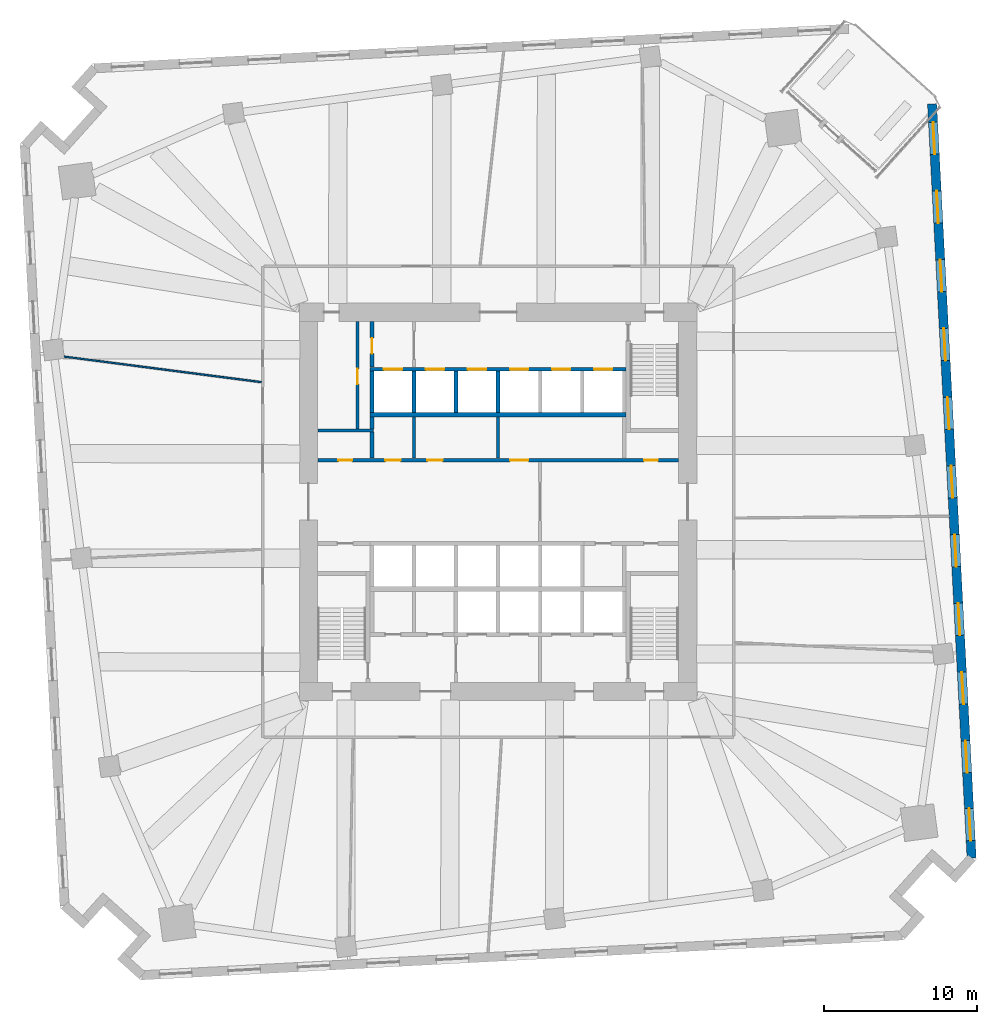
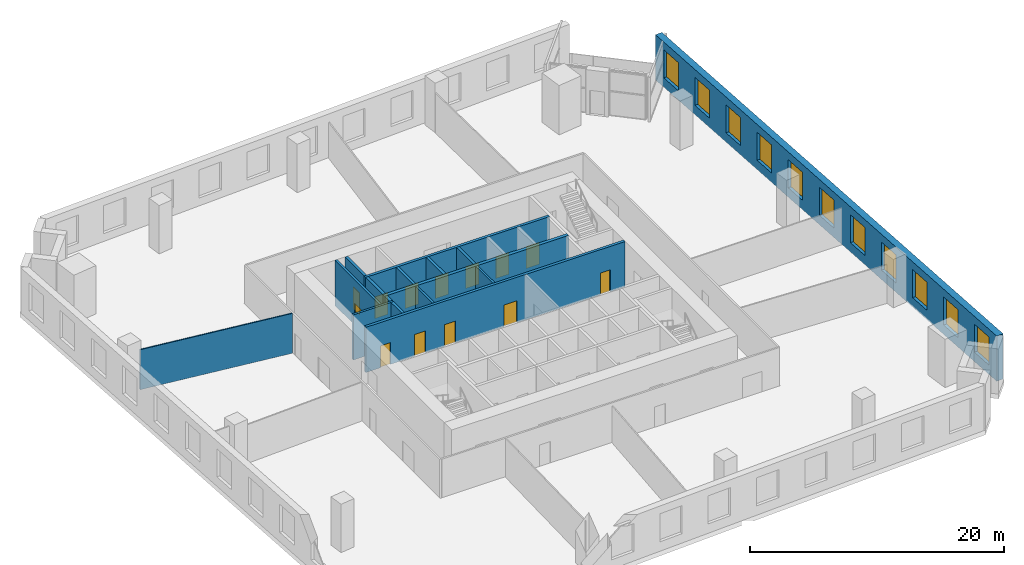
# One storey, part 6 of 10: 16 walls, 13 doors, 11 windows, 24 openings.
"""IFC4 building model written with IfcOpenShell, lengths in metres."""

from ifc_helpers import new_model, si_unit, direction, frame, frame_2d, origin, place, context, subcontext, project, spatial, rectangle, extrude, material, layer, layer_set, type_object, element, fill, save


model = new_model("IFC4")

# Units and contexts
model_context = context("Model", 3, precision=1e-05, world=origin(), true_north=direction((0.0, 1.0)))
body_context = subcontext(model_context, "Body", "Model", "MODEL_VIEW")
ifc_project = project(units=[si_unit("LENGTHUNIT", "METRE"), si_unit("AREAUNIT", "SQUARE_METRE"), si_unit("VOLUMEUNIT", "CUBIC_METRE"), si_unit("PLANEANGLEUNIT", "RADIAN"), si_unit("MASSUNIT", "GRAM", prefix="KILO")], contexts=[model_context])

# Site, building, storey
site_placement = place(None, origin())
site = spatial("IfcSite", under=ifc_project, at=site_placement, CompositionType="ELEMENT")
building_placement = place(site_placement, origin())
building = spatial("IfcBuilding", under=site, at=building_placement, Name="Dilmun Exchange Tower", CompositionType="ELEMENT")
storey_placement = place(building_placement, frame((0.0, 0.0, 32.10009765625)))
storey = spatial("IfcBuildingStorey", under=building, at=storey_placement, Name="L07", CompositionType="ELEMENT", Elevation=32.10009765625)

# Walls
ifc_material_1 = material(Name="Concrete C40/50", Category="concrete")
ifc_layer_1 = layer(ifc_material_1, 0.199951171875)
ifc_layer_set_1 = layer_set([ifc_layer_1], Name="Concrete C40/50")
wall_type_1 = type_object("IfcWallType", Name="Core partition wall 200", PredefinedType="PARTITIONING", material=ifc_layer_set_1)
for number, where, z_axis, x_axis, name in (
    (1, (-5.5, 2.85498046875, 0.0), (0.0, 0.0, 1.0), (0.0, 1.0, 0.0), "L07 core partition wall 12"),
    (2, (0.0, 2.85498046875, 0.0), (0.0, 0.0, 1.0), (0.0, 1.0, 0.0), "L07 core partition wall 13"),
):
    element("IfcWall", number, at=place(storey_placement, frame(where, z_axis=z_axis, x_axis=x_axis)), inside=storey, type_object=wall_type_1, Name=name, PredefinedType="PARTITIONING", context=body_context, shape_type="SweptSolid", body=[
        extrude(rectangle(XDim=2.68994140625, YDim=0.199951171875, at=frame_2d((1.344970703125, 0.0))), origin(), (0.0, 0.0, 1.0), 4.349853515625),
    ])
wall_1_placement = place(storey_placement, frame((-11.794921875, 4.675048828125, 0.0), z_axis=(0.0, 0.0, 1.0), x_axis=(1.0, 0.0, 0.0)))
element("IfcWall", 3, at=wall_1_placement, inside=storey, type_object=wall_type_1, Name="L07 core partition wall 15", PredefinedType="PARTITIONING", context=body_context, shape_type="SweptSolid", body=[
    extrude(rectangle(XDim=3.64501953125, YDim=0.199951171875, at=frame_2d((1.822509765625, 0.0))), origin(), (0.0, 0.0, 1.0), 4.349853515625),
])

# Wall, opening, door
wall_2_placement = place(storey_placement, frame((-9.199951171875, 4.780029296875, 0.0), z_axis=(0.0, 0.0, 1.0), x_axis=(0.0, 1.0, 0.0)))
wall_2 = element("IfcWall", 4, at=wall_2_placement, inside=storey, type_object=wall_type_1, Name="L07 core partition wall 16", PredefinedType="PARTITIONING", context=body_context, shape_type="SweptSolid", body=[
    extrude(rectangle(XDim=7.014892578125, YDim=0.199951171875, at=frame_2d((3.50732421875, 0.0))), origin(), (0.0, 0.0, 1.0), 4.349853515625),
])
opening_1_placement = place(wall_2_placement, frame((2.919921875, 0.0, 0.0)))
opening_1 = element("IfcOpeningElement", 5, at=opening_1_placement, cuts=wall_2, Name="Opening CD4", PredefinedType="OPENING", context=body_context, shape_type="SweptSolid", body=[
    extrude(rectangle(XDim=1.0, YDim=2.10009765625, at=frame_2d((0.5, 1.050048828125))), frame((0.0, 0.10986328125, 0.0), z_axis=(0.0, -1.0, 0.0), x_axis=(1.0, 0.0, 0.0)), (0.0, 0.0, 1.0), 0.219970703125),
])
ifc_material_2 = material(Name="Fire-rated steel door set", Category="steel")
door_type_1 = type_object("IfcDoorType", Name="Core room door 1000x2100", OperationType="SINGLE_SWING_LEFT", PredefinedType="DOOR", material=ifc_material_2)
door_1_placement = place(opening_1_placement, origin())
door_1 = element("IfcDoor", 6, at=door_1_placement, inside=storey, type_object=door_type_1, Name="L07 door Fire safety store", OperationType="SINGLE_SWING_RIGHT", OverallHeight=2.10009765625, OverallWidth=1.0, PredefinedType="DOOR", context=body_context, shape_type="SweptSolid", body=[
    extrude(rectangle(XDim=1.0, YDim=2.10009765625, at=frame_2d((0.5, 1.050048828125))), frame((0.0, 0.02490234375, 0.0), z_axis=(0.0, -1.0, 0.0), x_axis=(1.0, 0.0, 0.0)), (0.0, 0.0, 1.0), 0.050048828125),
])
fill(opening_1, door_1)

# Wall, openings, doors
ifc_layer_2 = layer(ifc_material_1, 0.25)
ifc_layer_set_2 = layer_set([ifc_layer_2], Name="Concrete C40/50")
wall_type_2 = type_object("IfcWallType", Name="Core partition wall 250", PredefinedType="PARTITIONING", material=ifc_layer_set_2)
wall_3_placement = place(storey_placement, frame((-11.794921875, 2.72509765625, 0.0), z_axis=(0.0, 0.0, 1.0), x_axis=(1.0, 0.0, 0.0)))
wall_3 = element("IfcWall", 7, at=wall_3_placement, inside=storey, type_object=wall_type_2, Name="L07 core partition wall 10", PredefinedType="PARTITIONING", context=body_context, shape_type="SweptSolid", body=[
    extrude(rectangle(XDim=23.58984375, YDim=0.25, at=frame_2d((11.794921875, 0.0))), origin(), (0.0, 0.0, 1.0), 4.349853515625),
])
opening_2_placement = place(wall_3_placement, frame((21.344970703125, 0.0, 0.0)))
opening_2 = element("IfcOpeningElement", 8, at=opening_2_placement, cuts=wall_3, Name="Opening CD6", PredefinedType="OPENING", context=body_context, shape_type="SweptSolid", body=[
    extrude(rectangle(XDim=0.89990234375, YDim=2.10009765625, at=frame_2d((0.449951171875, 1.050048828125))), frame((0.0, 0.135009765625, 0.0), z_axis=(0.0, -1.0, 0.0), x_axis=(1.0, 0.0, 0.0)), (0.0, 0.0, 1.0), 0.27001953125),
])
opening_3_placement = place(wall_3_placement, frame((1.344970703125, 0.0, 0.0)))
opening_3 = element("IfcOpeningElement", 9, at=opening_3_placement, cuts=wall_3, Name="Opening CD6", PredefinedType="OPENING", context=body_context, shape_type="SweptSolid", body=[
    extrude(rectangle(XDim=0.89990234375, YDim=2.10009765625, at=frame_2d((0.449951171875, 1.050048828125))), frame((0.0, 0.135009765625, 0.0), z_axis=(0.0, -1.0, 0.0), x_axis=(1.0, 0.0, 0.0)), (0.0, 0.0, 1.0), 0.27001953125),
])
opening_4_placement = place(wall_3_placement, frame((4.419921875, 0.0, 0.0)))
opening_4 = element("IfcOpeningElement", 10, at=opening_4_placement, cuts=wall_3, Name="Opening CD4", PredefinedType="OPENING", context=body_context, shape_type="SweptSolid", body=[
    extrude(rectangle(XDim=1.0, YDim=2.10009765625, at=frame_2d((0.5, 1.050048828125))), frame((0.0, 0.135009765625, 0.0), z_axis=(0.0, -1.0, 0.0), x_axis=(1.0, 0.0, 0.0)), (0.0, 0.0, 1.0), 0.27001953125),
])
opening_5_placement = place(wall_3_placement, frame((7.169921875, 0.0, 0.0)))
opening_5 = element("IfcOpeningElement", 11, at=opening_5_placement, cuts=wall_3, Name="Opening CD4", PredefinedType="OPENING", context=body_context, shape_type="SweptSolid", body=[
    extrude(rectangle(XDim=1.0, YDim=2.10009765625, at=frame_2d((0.5, 1.050048828125))), frame((0.0, 0.135009765625, 0.0), z_axis=(0.0, -1.0, 0.0), x_axis=(1.0, 0.0, 0.0)), (0.0, 0.0, 1.0), 0.27001953125),
])
opening_6_placement = place(wall_3_placement, frame((12.570068359375, 0.0, 0.0)))
opening_6 = element("IfcOpeningElement", 12, at=opening_6_placement, cuts=wall_3, Name="Opening CD3", PredefinedType="OPENING", context=body_context, shape_type="SweptSolid", body=[
    extrude(rectangle(XDim=1.199951171875, YDim=2.10009765625, at=frame_2d((0.60009765625, 1.050048828125))), frame((0.0, 0.135009765625, 0.0), z_axis=(0.0, -1.0, 0.0), x_axis=(1.0, 0.0, 0.0)), (0.0, 0.0, 1.0), 0.27001953125),
])
door_2_placement = place(opening_4_placement, origin())
door_2 = element("IfcDoor", 13, at=door_2_placement, inside=storey, type_object=door_type_1, Name="L07 door Tenant store", OperationType="SINGLE_SWING_RIGHT", OverallHeight=2.10009765625, OverallWidth=1.0, PredefinedType="DOOR", context=body_context, shape_type="SweptSolid", body=[
    extrude(rectangle(XDim=1.0, YDim=2.10009765625, at=frame_2d((0.5, 1.050048828125))), frame((0.0, 0.02490234375, 0.0), z_axis=(0.0, -1.0, 0.0), x_axis=(1.0, 0.0, 0.0)), (0.0, 0.0, 1.0), 0.050048828125),
])
fill(opening_4, door_2)
door_3_placement = place(opening_5_placement, origin())
door_3 = element("IfcDoor", 14, at=door_3_placement, inside=storey, type_object=door_type_1, Name="L07 door Mechanical room", OperationType="SINGLE_SWING_RIGHT", OverallHeight=2.10009765625, OverallWidth=1.0, PredefinedType="DOOR", context=body_context, shape_type="SweptSolid", body=[
    extrude(rectangle(XDim=1.0, YDim=2.10009765625, at=frame_2d((0.5, 1.050048828125))), frame((0.0, 0.02490234375, 0.0), z_axis=(0.0, -1.0, 0.0), x_axis=(1.0, 0.0, 0.0)), (0.0, 0.0, 1.0), 0.050048828125),
])
fill(opening_5, door_3)
door_type_2 = type_object("IfcDoorType", Name="Core room door 900x2100", OperationType="SINGLE_SWING_LEFT", PredefinedType="DOOR", material=ifc_material_2)
door_4_placement = place(opening_2_placement, origin())
door_4 = element("IfcDoor", 15, at=door_4_placement, inside=storey, type_object=door_type_2, Name="L07 door Electrical riser", OperationType="SINGLE_SWING_RIGHT", OverallHeight=2.10009765625, OverallWidth=0.89990234375, PredefinedType="DOOR", context=body_context, shape_type="SweptSolid", body=[
    extrude(rectangle(XDim=0.89990234375, YDim=2.10009765625, at=frame_2d((0.449951171875, 1.050048828125))), frame((0.0, 0.02490234375, 0.0), z_axis=(0.0, -1.0, 0.0), x_axis=(1.0, 0.0, 0.0)), (0.0, 0.0, 1.0), 0.050048828125),
])
fill(opening_2, door_4)
door_5_placement = place(opening_3_placement, origin())
door_5 = element("IfcDoor", 16, at=door_5_placement, inside=storey, type_object=door_type_2, Name="L07 door Plumbing riser", OperationType="SINGLE_SWING_RIGHT", OverallHeight=2.10009765625, OverallWidth=0.89990234375, PredefinedType="DOOR", context=body_context, shape_type="SweptSolid", body=[
    extrude(rectangle(XDim=0.89990234375, YDim=2.10009765625, at=frame_2d((0.449951171875, 1.050048828125))), frame((0.0, 0.02490234375, 0.0), z_axis=(0.0, -1.0, 0.0), x_axis=(1.0, 0.0, 0.0)), (0.0, 0.0, 1.0), 0.050048828125),
])
fill(opening_3, door_5)
door_type_3 = type_object("IfcDoorType", Name="Stair exit door 1200x2100", OperationType="SINGLE_SWING_LEFT", PredefinedType="DOOR", material=ifc_material_2)
door_6_placement = place(opening_6_placement, origin())
door_6 = element("IfcDoor", 17, at=door_6_placement, inside=storey, type_object=door_type_3, Name="L07 door Tenant meeting suite", OperationType="SINGLE_SWING_LEFT", OverallHeight=2.10009765625, OverallWidth=1.199951171875, PredefinedType="DOOR", context=body_context, shape_type="SweptSolid", body=[
    extrude(rectangle(XDim=1.199951171875, YDim=2.10009765625, at=frame_2d((0.60009765625, 1.050048828125))), frame((0.0, 0.02490234375, 0.0), z_axis=(0.0, -1.0, 0.0), x_axis=(1.0, 0.0, 0.0)), (0.0, 0.0, 1.0), 0.050048828125),
])
fill(opening_6, door_6)

# Walls
wall_4_placement = place(storey_placement, frame((-8.25, 2.85498046875, 0.0), z_axis=(0.0, 0.0, 1.0), x_axis=(0.0, 1.0, 0.0)))
element("IfcWall", 18, at=wall_4_placement, inside=storey, type_object=wall_type_2, Name="L07 core partition wall 11", PredefinedType="PARTITIONING", context=body_context, shape_type="SweptSolid", body=[
    extrude(rectangle(XDim=1.715087890625, YDim=0.25, at=frame_2d((0.857421875, 0.0))), origin(), (0.0, 0.0, 1.0), 4.349853515625),
])
wall_5_placement = place(storey_placement, frame((-8.25, 4.780029296875, 0.0), z_axis=(0.0, 0.0, 1.0), x_axis=(0.0, 1.0, 0.0)))
element("IfcWall", 19, at=wall_5_placement, inside=storey, type_object=wall_type_2, Name="L07 core partition wall 17", PredefinedType="PARTITIONING", context=body_context, shape_type="SweptSolid", body=[
    extrude(rectangle(XDim=0.764892578125, YDim=0.25, at=frame_2d((0.38232421875, 0.0))), origin(), (0.0, 0.0, 1.0), 4.349853515625),
])

# Wall, opening, door
wall_6_placement = place(storey_placement, frame((-8.25, 8.804931640625, 0.0), z_axis=(0.0, 0.0, 1.0), x_axis=(0.0, 1.0, 0.0)))
wall_6 = element("IfcWall", 20, at=wall_6_placement, inside=storey, type_object=wall_type_2, Name="L07 core partition wall 18", PredefinedType="PARTITIONING", context=body_context, shape_type="SweptSolid", body=[
    extrude(rectangle(XDim=2.989990234375, YDim=0.25, at=frame_2d((1.4951171875, 0.0))), origin(), (0.0, 0.0, 1.0), 4.349853515625),
])
opening_7_placement = place(wall_6_placement, frame((0.89501953125, 0.0, 0.0)))
opening_7 = element("IfcOpeningElement", 21, at=opening_7_placement, cuts=wall_6, Name="Opening CD4", PredefinedType="OPENING", context=body_context, shape_type="SweptSolid", body=[
    extrude(rectangle(XDim=1.0, YDim=2.10009765625, at=frame_2d((0.5, 1.050048828125))), frame((0.0, 0.135009765625, 0.0), z_axis=(0.0, -1.0, 0.0), x_axis=(1.0, 0.0, 0.0)), (0.0, 0.0, 1.0), 0.27001953125),
])
door_7_placement = place(opening_7_placement, origin())
door_7 = element("IfcDoor", 22, at=door_7_placement, inside=storey, type_object=door_type_1, Name="L07 door Tenant services room", OperationType="SINGLE_SWING_RIGHT", OverallHeight=2.10009765625, OverallWidth=1.0, PredefinedType="DOOR", context=body_context, shape_type="SweptSolid", body=[
    extrude(rectangle(XDim=1.0, YDim=2.10009765625, at=frame_2d((0.5, 1.050048828125))), frame((0.0, 0.02490234375, 0.0), z_axis=(0.0, -1.0, 0.0), x_axis=(1.0, 0.0, 0.0)), (0.0, 0.0, 1.0), 0.050048828125),
])
fill(opening_7, door_7)

# Wall
ifc_layer_3 = layer(ifc_material_1, 0.300048828125)
ifc_layer_set_3 = layer_set([ifc_layer_3], Name="Concrete C40/50")
wall_type_3 = type_object("IfcWallType", Name="Lift shaft shared wall 300", PredefinedType="SOLIDWALL", material=ifc_layer_set_3)
wall_7_placement = place(storey_placement, frame((-8.375, 5.699951171875, 0.0), z_axis=(0.0, 0.0, 1.0), x_axis=(1.0, 0.0, 0.0)))
element("IfcWall", 23, at=wall_7_placement, inside=storey, type_object=wall_type_3, Name="L07 lift shaft rear wall N", PredefinedType="SOLIDWALL", context=body_context, shape_type="SweptSolid", body=[
    extrude(rectangle(XDim=16.75, YDim=0.300048828125, at=frame_2d((8.375, 0.0))), origin(), (0.0, 0.0, 1.0), 4.349853515625),
])

# Wall, openings, doors
ifc_layer_4 = layer(ifc_material_1, 0.25)
ifc_layer_set_4 = layer_set([ifc_layer_4], Name="Concrete C40/50")
wall_type_4 = type_object("IfcWallType", Name="Lift shaft wall 250", PredefinedType="SOLIDWALL", material=ifc_layer_set_4)
wall_8_placement = place(storey_placement, frame((-8.375, 8.675048828125, 0.0), z_axis=(0.0, 0.0, 1.0), x_axis=(1.0, 0.0, 0.0)))
wall_8 = element("IfcWall", 24, at=wall_8_placement, inside=storey, type_object=wall_type_4, Name="L07 lift shaft front wall N2", PredefinedType="SOLIDWALL", context=body_context, shape_type="SweptSolid", body=[
    extrude(rectangle(XDim=16.75, YDim=0.25, at=frame_2d((8.375, 0.0))), origin(), (0.0, 0.0, 1.0), 4.349853515625),
])
opening_8_placement = place(wall_8_placement, frame((0.89990234375, 0.0, 0.0)))
opening_8 = element("IfcOpeningElement", 25, at=opening_8_placement, cuts=wall_8, Name="Opening LD", PredefinedType="OPENING", context=body_context, shape_type="SweptSolid", body=[
    extrude(rectangle(XDim=1.199951171875, YDim=2.10009765625, at=frame_2d((0.60009765625, 1.050048828125))), frame((0.0, 0.135009765625, 0.0), z_axis=(0.0, -1.0, 0.0), x_axis=(1.0, 0.0, 0.0)), (0.0, 0.0, 1.0), 0.27001953125),
])
opening_9_placement = place(wall_8_placement, frame((3.64990234375, 0.0, 0.0)))
opening_9 = element("IfcOpeningElement", 26, at=opening_9_placement, cuts=wall_8, Name="Opening LD", PredefinedType="OPENING", context=body_context, shape_type="SweptSolid", body=[
    extrude(rectangle(XDim=1.199951171875, YDim=2.10009765625, at=frame_2d((0.60009765625, 1.050048828125))), frame((0.0, 0.135009765625, 0.0), z_axis=(0.0, -1.0, 0.0), x_axis=(1.0, 0.0, 0.0)), (0.0, 0.0, 1.0), 0.27001953125),
])
opening_10_placement = place(wall_8_placement, frame((6.39990234375, 0.0, 0.0)))
opening_10 = element("IfcOpeningElement", 27, at=opening_10_placement, cuts=wall_8, Name="Opening LD", PredefinedType="OPENING", context=body_context, shape_type="SweptSolid", body=[
    extrude(rectangle(XDim=1.199951171875, YDim=2.10009765625, at=frame_2d((0.60009765625, 1.050048828125))), frame((0.0, 0.135009765625, 0.0), z_axis=(0.0, -1.0, 0.0), x_axis=(1.0, 0.0, 0.0)), (0.0, 0.0, 1.0), 0.27001953125),
])
opening_11_placement = place(wall_8_placement, frame((9.14990234375, 0.0, 0.0)))
opening_11 = element("IfcOpeningElement", 28, at=opening_11_placement, cuts=wall_8, Name="Opening LD", PredefinedType="OPENING", context=body_context, shape_type="SweptSolid", body=[
    extrude(rectangle(XDim=1.199951171875, YDim=2.10009765625, at=frame_2d((0.60009765625, 1.050048828125))), frame((0.0, 0.135009765625, 0.0), z_axis=(0.0, -1.0, 0.0), x_axis=(1.0, 0.0, 0.0)), (0.0, 0.0, 1.0), 0.27001953125),
])
opening_12_placement = place(wall_8_placement, frame((11.89990234375, 0.0, 0.0)))
opening_12 = element("IfcOpeningElement", 29, at=opening_12_placement, cuts=wall_8, Name="Opening LD", PredefinedType="OPENING", context=body_context, shape_type="SweptSolid", body=[
    extrude(rectangle(XDim=1.199951171875, YDim=2.10009765625, at=frame_2d((0.60009765625, 1.050048828125))), frame((0.0, 0.135009765625, 0.0), z_axis=(0.0, -1.0, 0.0), x_axis=(1.0, 0.0, 0.0)), (0.0, 0.0, 1.0), 0.27001953125),
])
opening_13_placement = place(wall_8_placement, frame((14.64990234375, 0.0, 0.0)))
opening_13 = element("IfcOpeningElement", 30, at=opening_13_placement, cuts=wall_8, Name="Opening LD", PredefinedType="OPENING", context=body_context, shape_type="SweptSolid", body=[
    extrude(rectangle(XDim=1.199951171875, YDim=2.10009765625, at=frame_2d((0.60009765625, 1.050048828125))), frame((0.0, 0.135009765625, 0.0), z_axis=(0.0, -1.0, 0.0), x_axis=(1.0, 0.0, 0.0)), (0.0, 0.0, 1.0), 0.27001953125),
])
door_type_4 = type_object("IfcDoorType", Name="Lift landing door 1200x2100", OperationType="DOUBLE_DOOR_SLIDING", PredefinedType="DOOR", material=ifc_material_2)
door_8_placement = place(opening_8_placement, origin())
door_8 = element("IfcDoor", 31, at=door_8_placement, inside=storey, type_object=door_type_4, Name="L07 landing door LR1", OperationType="DOUBLE_DOOR_SLIDING", OverallHeight=2.10009765625, OverallWidth=1.199951171875, PredefinedType="DOOR", context=body_context, shape_type="SweptSolid", body=[
    extrude(rectangle(XDim=1.199951171875, YDim=2.10009765625, at=frame_2d((0.60009765625, 1.050048828125))), frame((0.0, 0.02490234375, 0.0), z_axis=(0.0, -1.0, 0.0), x_axis=(1.0, 0.0, 0.0)), (0.0, 0.0, 1.0), 0.050048828125),
])
fill(opening_8, door_8)
door_9_placement = place(opening_9_placement, origin())
door_9 = element("IfcDoor", 32, at=door_9_placement, inside=storey, type_object=door_type_4, Name="L07 landing door LR2", OperationType="DOUBLE_DOOR_SLIDING", OverallHeight=2.10009765625, OverallWidth=1.199951171875, PredefinedType="DOOR", context=body_context, shape_type="SweptSolid", body=[
    extrude(rectangle(XDim=1.199951171875, YDim=2.10009765625, at=frame_2d((0.60009765625, 1.050048828125))), frame((0.0, 0.02490234375, 0.0), z_axis=(0.0, -1.0, 0.0), x_axis=(1.0, 0.0, 0.0)), (0.0, 0.0, 1.0), 0.050048828125),
])
fill(opening_9, door_9)
door_10_placement = place(opening_10_placement, origin())
door_10 = element("IfcDoor", 33, at=door_10_placement, inside=storey, type_object=door_type_4, Name="L07 landing door LR3", OperationType="DOUBLE_DOOR_SLIDING", OverallHeight=2.10009765625, OverallWidth=1.199951171875, PredefinedType="DOOR", context=body_context, shape_type="SweptSolid", body=[
    extrude(rectangle(XDim=1.199951171875, YDim=2.10009765625, at=frame_2d((0.60009765625, 1.050048828125))), frame((0.0, 0.02490234375, 0.0), z_axis=(0.0, -1.0, 0.0), x_axis=(1.0, 0.0, 0.0)), (0.0, 0.0, 1.0), 0.050048828125),
])
fill(opening_10, door_10)
door_11_placement = place(opening_11_placement, origin())
door_11 = element("IfcDoor", 34, at=door_11_placement, inside=storey, type_object=door_type_4, Name="L07 landing door LR4", OperationType="DOUBLE_DOOR_SLIDING", OverallHeight=2.10009765625, OverallWidth=1.199951171875, PredefinedType="DOOR", context=body_context, shape_type="SweptSolid", body=[
    extrude(rectangle(XDim=1.199951171875, YDim=2.10009765625, at=frame_2d((0.60009765625, 1.050048828125))), frame((0.0, 0.02490234375, 0.0), z_axis=(0.0, -1.0, 0.0), x_axis=(1.0, 0.0, 0.0)), (0.0, 0.0, 1.0), 0.050048828125),
])
fill(opening_11, door_11)
door_12_placement = place(opening_12_placement, origin())
door_12 = element("IfcDoor", 35, at=door_12_placement, inside=storey, type_object=door_type_4, Name="L07 landing door LR5", OperationType="DOUBLE_DOOR_SLIDING", OverallHeight=2.10009765625, OverallWidth=1.199951171875, PredefinedType="DOOR", context=body_context, shape_type="SweptSolid", body=[
    extrude(rectangle(XDim=1.199951171875, YDim=2.10009765625, at=frame_2d((0.60009765625, 1.050048828125))), frame((0.0, 0.02490234375, 0.0), z_axis=(0.0, -1.0, 0.0), x_axis=(1.0, 0.0, 0.0)), (0.0, 0.0, 1.0), 0.050048828125),
])
fill(opening_12, door_12)
door_13_placement = place(opening_13_placement, origin())
door_13 = element("IfcDoor", 36, at=door_13_placement, inside=storey, type_object=door_type_4, Name="L07 landing door LR6", OperationType="DOUBLE_DOOR_SLIDING", OverallHeight=2.10009765625, OverallWidth=1.199951171875, PredefinedType="DOOR", context=body_context, shape_type="SweptSolid", body=[
    extrude(rectangle(XDim=1.199951171875, YDim=2.10009765625, at=frame_2d((0.60009765625, 1.050048828125))), frame((0.0, 0.02490234375, 0.0), z_axis=(0.0, -1.0, 0.0), x_axis=(1.0, 0.0, 0.0)), (0.0, 0.0, 1.0), 0.050048828125),
])
fill(opening_13, door_13)

# Walls
for number, where, z_axis, x_axis, name in (
    (37, (-8.25, 5.85009765625, 0.0), (0.0, 0.0, 1.0), (0.0, 1.0, 0.0), "L07 lift shaft divider N20"),
    (38, (-5.5, 5.85009765625, 0.0), (0.0, 0.0, 1.0), (0.0, 1.0, 0.0), "L07 lift shaft divider N21"),
    (39, (-2.75, 5.85009765625, 0.0), (0.0, 0.0, 1.0), (0.0, 1.0, 0.0), "L07 lift shaft divider N22"),
    (40, (0.0, 5.85009765625, 0.0), (0.0, 0.0, 1.0), (0.0, 1.0, 0.0), "L07 lift shaft divider N23"),
):
    element("IfcWall", number, at=place(storey_placement, frame(where, z_axis=z_axis, x_axis=x_axis)), inside=storey, type_object=wall_type_4, Name=name, PredefinedType="SOLIDWALL", context=body_context, shape_type="SweptSolid", body=[
        extrude(rectangle(XDim=2.699951171875, YDim=0.25, at=frame_2d((1.35009765625, 0.0))), origin(), (0.0, 0.0, 1.0), 4.349853515625),
    ])
ifc_material_3 = material(Name="Partition 100")
ifc_layer_5 = layer(ifc_material_3, 0.10009765625)
ifc_layer_set_5 = layer_set([ifc_layer_5], Name="Partition 100")
wall_type_5 = type_object("IfcWallType", Name="Partition 100", PredefinedType="PARTITIONING", material=ifc_layer_set_5)
wall_9_placement = place(storey_placement, frame((-28.376708984375, 9.496826171875, 0.0), z_axis=(0.0, 0.0, 1.0), x_axis=(0.991714249214, -0.128463410764, 0.0)))
element("IfcWall", 41, at=wall_9_placement, inside=storey, type_object=wall_type_5, Name="Partition", PredefinedType="PARTITIONING", context=body_context, shape_type="SweptSolid", body=[
    extrude(rectangle(XDim=13.0029296875, YDim=0.10009765625, at=frame_2d((6.50146484375, 0.0))), origin(), (0.0, 0.0, 1.0), 3.849853515625),
])

# Wall, openings, windows
ifc_material_4 = material(Name="Precast concrete C50/60", Category="concrete")
ifc_layer_6 = layer(ifc_material_4, 0.60009765625)
ifc_layer_set_6 = layer_set([ifc_layer_6], Name="Precast concrete C50/60")
wall_type_6 = type_object("IfcWallType", Name="Precast stone-clad wall 600", PredefinedType="STANDARD", material=ifc_layer_set_6)
wall_10_placement = place(storey_placement, frame((30.961181640625, -23.287353515625, 0.0), z_axis=(0.0, 0.0, 1.0), x_axis=(-0.052333049168, 0.998629687104, 0.0)))
wall_10 = element("IfcWall", 42, at=wall_10_placement, inside=storey, type_object=wall_type_6, Name="Facade wall L07-21", PredefinedType="STANDARD", context=body_context, shape_type="SweptSolid", body=[
    extrude(rectangle(XDim=49.375732421875, YDim=0.60009765625, at=frame_2d((24.68798828125, 0.0))), origin(), (0.0, 0.0, 1.0), 4.349853515625),
])
opening_14_placement = place(wall_10_placement, frame((1.137939453125, 0.0, 0.89990234375)))
opening_14 = element("IfcOpeningElement", 43, at=opening_14_placement, cuts=wall_10, Name="Opening W210-270", PredefinedType="OPENING", context=body_context, shape_type="SweptSolid", body=[
    extrude(rectangle(XDim=2.10009765625, YDim=2.699951171875, at=frame_2d((1.050048828125, 1.35009765625))), frame((0.0, 0.31005859375, 0.0), z_axis=(0.0, -1.0, 0.0), x_axis=(1.0, 0.0, 0.0)), (0.0, 0.0, 1.0), 0.6201171875),
])
opening_15_placement = place(wall_10_placement, frame((5.57568359375, 0.0, 0.89990234375)))
opening_15 = element("IfcOpeningElement", 44, at=opening_15_placement, cuts=wall_10, Name="Opening W210-270", PredefinedType="OPENING", context=body_context, shape_type="SweptSolid", body=[
    extrude(rectangle(XDim=2.10009765625, YDim=2.699951171875, at=frame_2d((1.050048828125, 1.35009765625))), frame((0.0, 0.31005859375, 0.0), z_axis=(0.0, -1.0, 0.0), x_axis=(1.0, 0.0, 0.0)), (0.0, 0.0, 1.0), 0.6201171875),
])
opening_16_placement = place(wall_10_placement, frame((10.07568359375, 0.0, 0.89990234375)))
opening_16 = element("IfcOpeningElement", 45, at=opening_16_placement, cuts=wall_10, Name="Opening W210-270", PredefinedType="OPENING", context=body_context, shape_type="SweptSolid", body=[
    extrude(rectangle(XDim=2.10009765625, YDim=2.699951171875, at=frame_2d((1.050048828125, 1.35009765625))), frame((0.0, 0.31005859375, 0.0), z_axis=(0.0, -1.0, 0.0), x_axis=(1.0, 0.0, 0.0)), (0.0, 0.0, 1.0), 0.6201171875),
])
opening_17_placement = place(wall_10_placement, frame((14.57568359375, 0.0, 0.89990234375)))
opening_17 = element("IfcOpeningElement", 46, at=opening_17_placement, cuts=wall_10, Name="Opening W210-270", PredefinedType="OPENING", context=body_context, shape_type="SweptSolid", body=[
    extrude(rectangle(XDim=2.10009765625, YDim=2.699951171875, at=frame_2d((1.050048828125, 1.35009765625))), frame((0.0, 0.31005859375, 0.0), z_axis=(0.0, -1.0, 0.0), x_axis=(1.0, 0.0, 0.0)), (0.0, 0.0, 1.0), 0.6201171875),
])
opening_18_placement = place(wall_10_placement, frame((19.07568359375, 0.0, 0.89990234375)))
opening_18 = element("IfcOpeningElement", 47, at=opening_18_placement, cuts=wall_10, Name="Opening W210-270", PredefinedType="OPENING", context=body_context, shape_type="SweptSolid", body=[
    extrude(rectangle(XDim=2.10009765625, YDim=2.699951171875, at=frame_2d((1.050048828125, 1.35009765625))), frame((0.0, 0.31005859375, 0.0), z_axis=(0.0, -1.0, 0.0), x_axis=(1.0, 0.0, 0.0)), (0.0, 0.0, 1.0), 0.6201171875),
])
opening_19_placement = place(wall_10_placement, frame((23.57568359375, 0.0, 0.89990234375)))
opening_19 = element("IfcOpeningElement", 48, at=opening_19_placement, cuts=wall_10, Name="Opening W210-270", PredefinedType="OPENING", context=body_context, shape_type="SweptSolid", body=[
    extrude(rectangle(XDim=2.10009765625, YDim=2.699951171875, at=frame_2d((1.050048828125, 1.35009765625))), frame((0.0, 0.31005859375, 0.0), z_axis=(0.0, -1.0, 0.0), x_axis=(1.0, 0.0, 0.0)), (0.0, 0.0, 1.0), 0.6201171875),
])
opening_20_placement = place(wall_10_placement, frame((28.07568359375, 0.0, 0.89990234375)))
opening_20 = element("IfcOpeningElement", 49, at=opening_20_placement, cuts=wall_10, Name="Opening W210-270", PredefinedType="OPENING", context=body_context, shape_type="SweptSolid", body=[
    extrude(rectangle(XDim=2.10009765625, YDim=2.699951171875, at=frame_2d((1.050048828125, 1.35009765625))), frame((0.0, 0.31005859375, 0.0), z_axis=(0.0, -1.0, 0.0), x_axis=(1.0, 0.0, 0.0)), (0.0, 0.0, 1.0), 0.6201171875),
])
opening_21_placement = place(wall_10_placement, frame((32.57568359375, 0.0, 0.89990234375)))
opening_21 = element("IfcOpeningElement", 50, at=opening_21_placement, cuts=wall_10, Name="Opening W210-270", PredefinedType="OPENING", context=body_context, shape_type="SweptSolid", body=[
    extrude(rectangle(XDim=2.10009765625, YDim=2.699951171875, at=frame_2d((1.050048828125, 1.35009765625))), frame((0.0, 0.31005859375, 0.0), z_axis=(0.0, -1.0, 0.0), x_axis=(1.0, 0.0, 0.0)), (0.0, 0.0, 1.0), 0.6201171875),
])
opening_22_placement = place(wall_10_placement, frame((37.07568359375, 0.0, 0.89990234375)))
opening_22 = element("IfcOpeningElement", 51, at=opening_22_placement, cuts=wall_10, Name="Opening W210-270", PredefinedType="OPENING", context=body_context, shape_type="SweptSolid", body=[
    extrude(rectangle(XDim=2.10009765625, YDim=2.699951171875, at=frame_2d((1.050048828125, 1.35009765625))), frame((0.0, 0.31005859375, 0.0), z_axis=(0.0, -1.0, 0.0), x_axis=(1.0, 0.0, 0.0)), (0.0, 0.0, 1.0), 0.6201171875),
])
opening_23_placement = place(wall_10_placement, frame((41.57568359375, 0.0, 0.89990234375)))
opening_23 = element("IfcOpeningElement", 52, at=opening_23_placement, cuts=wall_10, Name="Opening W210-270", PredefinedType="OPENING", context=body_context, shape_type="SweptSolid", body=[
    extrude(rectangle(XDim=2.10009765625, YDim=2.699951171875, at=frame_2d((1.050048828125, 1.35009765625))), frame((0.0, 0.31005859375, 0.0), z_axis=(0.0, -1.0, 0.0), x_axis=(1.0, 0.0, 0.0)), (0.0, 0.0, 1.0), 0.6201171875),
])
opening_24_placement = place(wall_10_placement, frame((46.07568359375, 0.0, 0.89990234375)))
opening_24 = element("IfcOpeningElement", 53, at=opening_24_placement, cuts=wall_10, Name="Opening W210-270", PredefinedType="OPENING", context=body_context, shape_type="SweptSolid", body=[
    extrude(rectangle(XDim=2.10009765625, YDim=2.699951171875, at=frame_2d((1.050048828125, 1.35009765625))), frame((0.0, 0.31005859375, 0.0), z_axis=(0.0, -1.0, 0.0), x_axis=(1.0, 0.0, 0.0)), (0.0, 0.0, 1.0), 0.6201171875),
])
ifc_material_5 = material(Name="Clear low-emissivity glass in aluminium frame", Category="aluminium")
window_type = type_object("IfcWindowType", Name="Punched window 2100 x 2700", PartitioningType="DOUBLE_PANEL_VERTICAL", PredefinedType="WINDOW", material=ifc_material_5)
window_1_placement = place(opening_14_placement, origin())
window_1 = element("IfcWindow", 54, at=window_1_placement, inside=storey, type_object=window_type, Name="Window 22.1", OverallHeight=2.699951171875, OverallWidth=2.10009765625, PartitioningType="SINGLE_PANEL", PredefinedType="WINDOW", context=body_context, shape_type="SweptSolid", body=[
    extrude(rectangle(XDim=2.10009765625, YDim=2.699951171875, at=frame_2d((1.050048828125, 1.35009765625))), frame((0.0, 0.030029296875, 0.0), z_axis=(0.0, -1.0, 0.0), x_axis=(1.0, 0.0, 0.0)), (0.0, 0.0, 1.0), 0.06005859375),
])
fill(opening_14, window_1)
window_2_placement = place(opening_15_placement, origin())
window_2 = element("IfcWindow", 55, at=window_2_placement, inside=storey, type_object=window_type, Name="Window 22.2", OverallHeight=2.699951171875, OverallWidth=2.10009765625, PartitioningType="SINGLE_PANEL", PredefinedType="WINDOW", context=body_context, shape_type="SweptSolid", body=[
    extrude(rectangle(XDim=2.10009765625, YDim=2.699951171875, at=frame_2d((1.050048828125, 1.35009765625))), frame((0.0, 0.030029296875, 0.0), z_axis=(0.0, -1.0, 0.0), x_axis=(1.0, 0.0, 0.0)), (0.0, 0.0, 1.0), 0.06005859375),
])
fill(opening_15, window_2)
window_3_placement = place(opening_16_placement, origin())
window_3 = element("IfcWindow", 56, at=window_3_placement, inside=storey, type_object=window_type, Name="Window 22.3", OverallHeight=2.699951171875, OverallWidth=2.10009765625, PartitioningType="SINGLE_PANEL", PredefinedType="WINDOW", context=body_context, shape_type="SweptSolid", body=[
    extrude(rectangle(XDim=2.10009765625, YDim=2.699951171875, at=frame_2d((1.050048828125, 1.35009765625))), frame((0.0, 0.030029296875, 0.0), z_axis=(0.0, -1.0, 0.0), x_axis=(1.0, 0.0, 0.0)), (0.0, 0.0, 1.0), 0.06005859375),
])
fill(opening_16, window_3)
window_4_placement = place(opening_17_placement, origin())
window_4 = element("IfcWindow", 57, at=window_4_placement, inside=storey, type_object=window_type, Name="Window 22.4", OverallHeight=2.699951171875, OverallWidth=2.10009765625, PartitioningType="SINGLE_PANEL", PredefinedType="WINDOW", context=body_context, shape_type="SweptSolid", body=[
    extrude(rectangle(XDim=2.10009765625, YDim=2.699951171875, at=frame_2d((1.050048828125, 1.35009765625))), frame((0.0, 0.030029296875, 0.0), z_axis=(0.0, -1.0, 0.0), x_axis=(1.0, 0.0, 0.0)), (0.0, 0.0, 1.0), 0.06005859375),
])
fill(opening_17, window_4)
window_5_placement = place(opening_18_placement, origin())
window_5 = element("IfcWindow", 58, at=window_5_placement, inside=storey, type_object=window_type, Name="Window 22.5", OverallHeight=2.699951171875, OverallWidth=2.10009765625, PartitioningType="SINGLE_PANEL", PredefinedType="WINDOW", context=body_context, shape_type="SweptSolid", body=[
    extrude(rectangle(XDim=2.10009765625, YDim=2.699951171875, at=frame_2d((1.050048828125, 1.35009765625))), frame((0.0, 0.030029296875, 0.0), z_axis=(0.0, -1.0, 0.0), x_axis=(1.0, 0.0, 0.0)), (0.0, 0.0, 1.0), 0.06005859375),
])
fill(opening_18, window_5)
window_6_placement = place(opening_19_placement, origin())
window_6 = element("IfcWindow", 59, at=window_6_placement, inside=storey, type_object=window_type, Name="Window 22.6", OverallHeight=2.699951171875, OverallWidth=2.10009765625, PartitioningType="SINGLE_PANEL", PredefinedType="WINDOW", context=body_context, shape_type="SweptSolid", body=[
    extrude(rectangle(XDim=2.10009765625, YDim=2.699951171875, at=frame_2d((1.050048828125, 1.35009765625))), frame((0.0, 0.030029296875, 0.0), z_axis=(0.0, -1.0, 0.0), x_axis=(1.0, 0.0, 0.0)), (0.0, 0.0, 1.0), 0.06005859375),
])
fill(opening_19, window_6)
window_7_placement = place(opening_20_placement, origin())
window_7 = element("IfcWindow", 60, at=window_7_placement, inside=storey, type_object=window_type, Name="Window 22.7", OverallHeight=2.699951171875, OverallWidth=2.10009765625, PartitioningType="SINGLE_PANEL", PredefinedType="WINDOW", context=body_context, shape_type="SweptSolid", body=[
    extrude(rectangle(XDim=2.10009765625, YDim=2.699951171875, at=frame_2d((1.050048828125, 1.35009765625))), frame((0.0, 0.030029296875, 0.0), z_axis=(0.0, -1.0, 0.0), x_axis=(1.0, 0.0, 0.0)), (0.0, 0.0, 1.0), 0.06005859375),
])
fill(opening_20, window_7)
window_8_placement = place(opening_21_placement, origin())
window_8 = element("IfcWindow", 61, at=window_8_placement, inside=storey, type_object=window_type, Name="Window 22.8", OverallHeight=2.699951171875, OverallWidth=2.10009765625, PartitioningType="SINGLE_PANEL", PredefinedType="WINDOW", context=body_context, shape_type="SweptSolid", body=[
    extrude(rectangle(XDim=2.10009765625, YDim=2.699951171875, at=frame_2d((1.050048828125, 1.35009765625))), frame((0.0, 0.030029296875, 0.0), z_axis=(0.0, -1.0, 0.0), x_axis=(1.0, 0.0, 0.0)), (0.0, 0.0, 1.0), 0.06005859375),
])
fill(opening_21, window_8)
window_9_placement = place(opening_22_placement, origin())
window_9 = element("IfcWindow", 62, at=window_9_placement, inside=storey, type_object=window_type, Name="Window 22.9", OverallHeight=2.699951171875, OverallWidth=2.10009765625, PartitioningType="SINGLE_PANEL", PredefinedType="WINDOW", context=body_context, shape_type="SweptSolid", body=[
    extrude(rectangle(XDim=2.10009765625, YDim=2.699951171875, at=frame_2d((1.050048828125, 1.35009765625))), frame((0.0, 0.030029296875, 0.0), z_axis=(0.0, -1.0, 0.0), x_axis=(1.0, 0.0, 0.0)), (0.0, 0.0, 1.0), 0.06005859375),
])
fill(opening_22, window_9)
window_10_placement = place(opening_23_placement, origin())
window_10 = element("IfcWindow", 63, at=window_10_placement, inside=storey, type_object=window_type, Name="Window 22.10", OverallHeight=2.699951171875, OverallWidth=2.10009765625, PartitioningType="SINGLE_PANEL", PredefinedType="WINDOW", context=body_context, shape_type="SweptSolid", body=[
    extrude(rectangle(XDim=2.10009765625, YDim=2.699951171875, at=frame_2d((1.050048828125, 1.35009765625))), frame((0.0, 0.030029296875, 0.0), z_axis=(0.0, -1.0, 0.0), x_axis=(1.0, 0.0, 0.0)), (0.0, 0.0, 1.0), 0.06005859375),
])
fill(opening_23, window_10)
window_11_placement = place(opening_24_placement, origin())
window_11 = element("IfcWindow", 64, at=window_11_placement, inside=storey, type_object=window_type, Name="Window 22.11", OverallHeight=2.699951171875, OverallWidth=2.10009765625, PartitioningType="SINGLE_PANEL", PredefinedType="WINDOW", context=body_context, shape_type="SweptSolid", body=[
    extrude(rectangle(XDim=2.10009765625, YDim=2.699951171875, at=frame_2d((1.050048828125, 1.35009765625))), frame((0.0, 0.030029296875, 0.0), z_axis=(0.0, -1.0, 0.0), x_axis=(1.0, 0.0, 0.0)), (0.0, 0.0, 1.0), 0.06005859375),
])
fill(opening_24, window_11)

save(model, "model.ifc")
